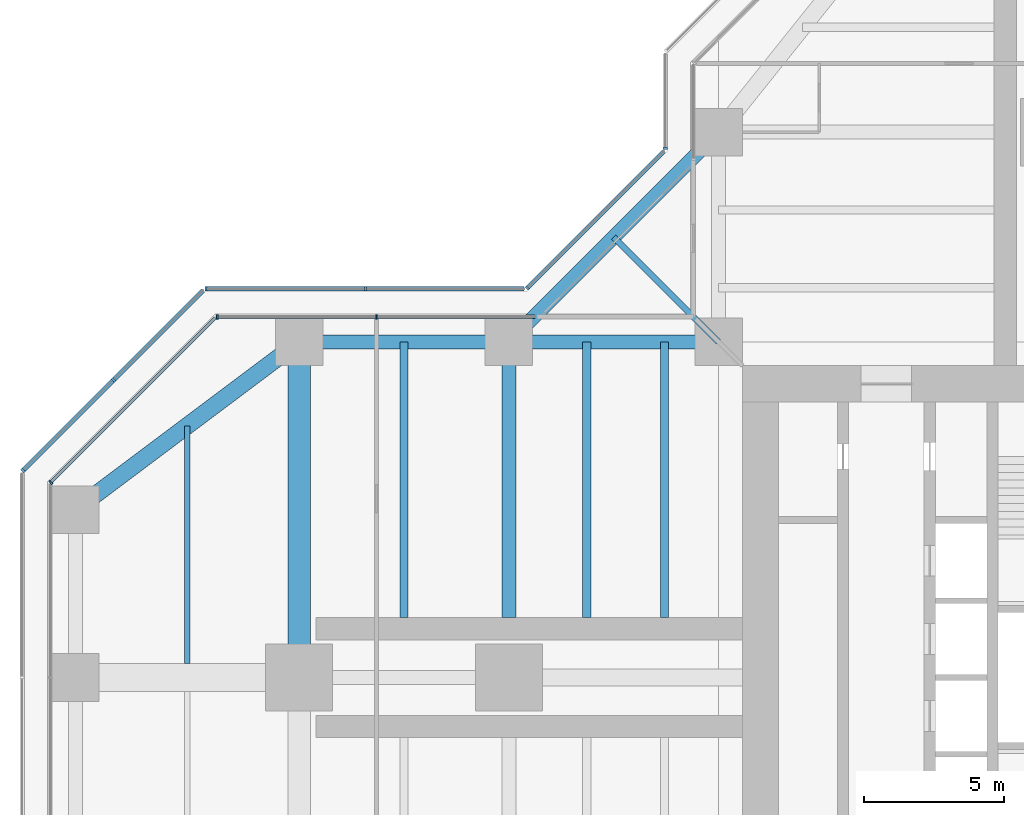
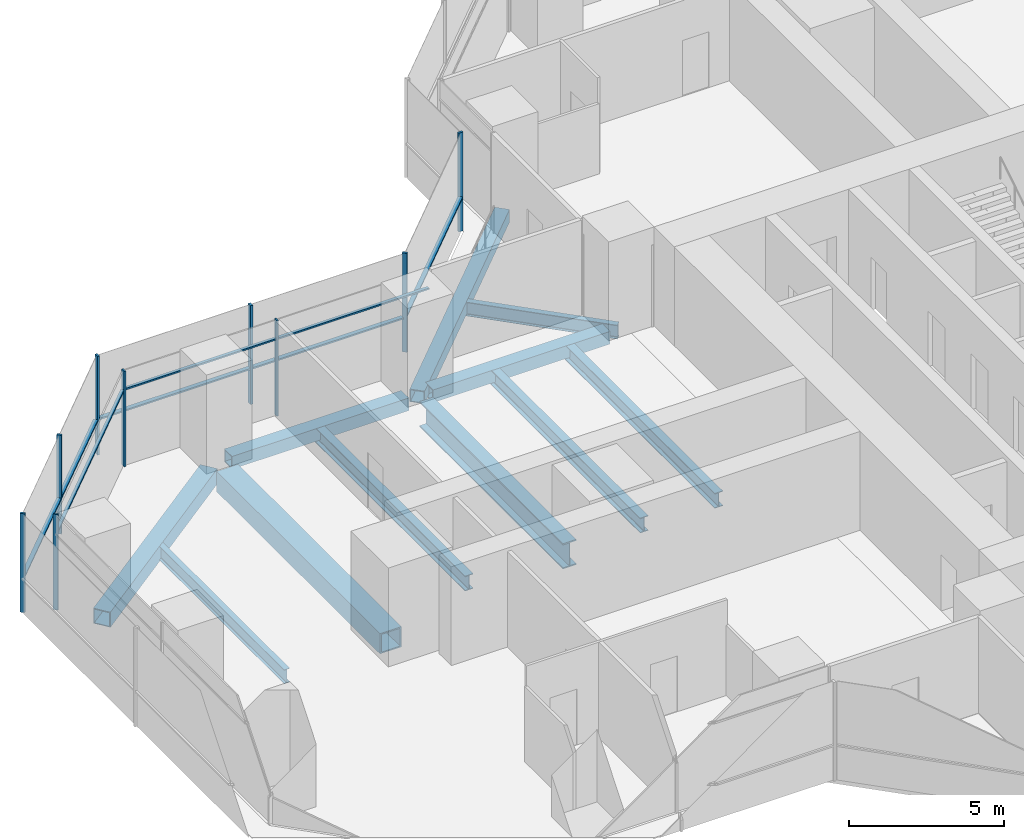
# One storey, part 7 of 19: 17 members, 11 beams, 6 elements without a shape of their own.
"""IFC4 building model written with IfcOpenShell, lengths in metres."""

from ifc_helpers import new_model, si_unit, direction, frame, origin, origin_2d, place, context, subcontext, project, spatial, rectangle, hollow_rectangle, i_section, extrude, material, material_profile, profile_set, type_object, element, aggregate, save


model = new_model("IFC4")

# Units and contexts
model_context = context("Model", 3, precision=1e-05, world=origin(), true_north=direction((0.0, 1.0)))
body_context = subcontext(model_context, "Body", "Model", "MODEL_VIEW")
ifc_project = project(units=[si_unit("LENGTHUNIT", "METRE"), si_unit("AREAUNIT", "SQUARE_METRE"), si_unit("VOLUMEUNIT", "CUBIC_METRE"), si_unit("PLANEANGLEUNIT", "RADIAN"), si_unit("MASSUNIT", "GRAM", prefix="KILO")], contexts=[model_context])

# Site, building, storey
site_placement = place(None, origin())
site = spatial("IfcSite", under=ifc_project, at=site_placement, CompositionType="ELEMENT")
building_placement = place(site_placement, origin())
building = spatial("IfcBuilding", under=site, at=building_placement, Name="Mizan Broadcast Tower", CompositionType="ELEMENT")
storey_placement = place(building_placement, frame((0.0, 0.0, 182.699951171875)))
storey = spatial("IfcBuildingStorey", under=building, at=storey_placement, Name="L42", CompositionType="ELEMENT", Elevation=182.699951171875)

# Beams
ifc_material_1 = material(Name="Steel S355", Category="steel")
ifc_material_profile_1 = material_profile(ifc_material_1, hollow_rectangle(XDim=0.5, YDim=0.5, WallThickness=0.030029296875, at=origin_2d()), Name="BOX 500x500x30")
ifc_profile_set_1 = profile_set([ifc_material_profile_1], Name="Steel S355")
beam_type_1 = type_object("IfcBeamType", Name="EDGE BEAM BOX 500x500x30", PredefinedType="SPANDREL", material=ifc_profile_set_1)
for number, where, z_axis, x_axis, name in (
    (1, (-12.449951171875, 12.0, -0.3798828125), (-1.0, 0.0, 0.0), (0.0, -1.0, 0.0), "Edge beam BOX 500x500x30 L42 west arm"),
    (2, (-19.949951171875, 12.0, -0.3798828125), (-1.0, 0.0, 0.0), (0.0, -1.0, 0.0), "Edge beam BOX 500x500x30 L42 west arm"),
):
    element("IfcBeam", number, at=place(storey_placement, frame(where, z_axis=z_axis, x_axis=x_axis)), inside=storey, type_object=beam_type_1, Name=name, PredefinedType="SPANDREL", context=body_context, shape_type="SweptSolid", body=[
        extrude(hollow_rectangle(XDim=0.5, YDim=0.5, WallThickness=0.030029296875, at=origin_2d()), origin(), (0.0, 0.0, 1.0), 6.60009765625),
    ])
beam_1_placement = place(storey_placement, frame((-12.0, 19.5, -0.3798828125), z_axis=(-0.707106781187, -0.707106781187, 0.0), x_axis=(0.707106781187, -0.707106781187, 0.0)))
element("IfcBeam", 3, at=beam_1_placement, inside=storey, type_object=beam_type_1, Name="Winter garden edge beam L42 N", PredefinedType="SPANDREL", context=body_context, shape_type="SweptSolid", body=[
    extrude(hollow_rectangle(XDim=0.5, YDim=0.5, WallThickness=0.030029296875, at=origin_2d()), origin(), (0.0, 0.0, 1.0), 10.606689453125),
])
ifc_material_2 = material(Name="Steel S355", Category="steel")
ifc_material_profile_2 = material_profile(ifc_material_2, hollow_rectangle(XDim=0.60009765625, YDim=0.60009765625, WallThickness=0.030029296875, at=origin_2d()), Name="BOX 600x600x30")
ifc_profile_set_2 = profile_set([ifc_material_profile_2], Name="Steel S355")
beam_type_2 = type_object("IfcBeamType", Name="EDGE BEAM BOX 600x600x30", PredefinedType="SPANDREL", material=ifc_profile_set_2)
beam_2_placement = place(storey_placement, frame((-27.47998046875, 11.639892578125, -0.429931640625), z_axis=(-0.800013316712, -0.599982243973, 0.0), x_axis=(0.599982243973, -0.800013316712, 0.0)))
element("IfcBeam", 4, at=beam_2_placement, inside=storey, type_object=beam_type_2, Name="Edge beam BOX 600x600x30 L42 west arm", PredefinedType="SPANDREL", context=body_context, shape_type="SweptSolid", body=[
    extrude(hollow_rectangle(XDim=0.60009765625, YDim=0.60009765625, WallThickness=0.030029296875, at=origin_2d()), origin(), (0.0, 0.0, 1.0), 8.7998046875),
])
ifc_material_3 = material(Name="Steel S460", Category="steel")
ifc_material_profile_3 = material_profile(ifc_material_3, hollow_rectangle(XDim=0.800048828125, YDim=0.800048828125, WallThickness=0.050048828125, at=origin_2d()), Name="BOX 800x800x50")
ifc_profile_set_3 = profile_set([ifc_material_profile_3], Name="Steel S460")
beam_type_3 = type_object("IfcBeamType", Name="GIRDER BOX 800x800x50", PredefinedType="BEAM", material=ifc_profile_set_3)
beam_3_placement = place(storey_placement, frame((-27.0, 11.280029296875, -0.530029296875), z_axis=(0.0, -1.0, 0.0), x_axis=(1.0, 0.0, 0.0)))
element("IfcBeam", 5, at=beam_3_placement, inside=storey, type_object=beam_type_3, Name="Girder BOX 800x800x50 L42 west arm", PredefinedType="BEAM", context=body_context, shape_type="SweptSolid", body=[
    extrude(hollow_rectangle(XDim=0.800048828125, YDim=0.800048828125, WallThickness=0.050048828125, at=origin_2d()), origin(), (0.0, 0.0, 1.0), 10.56005859375),
])
ifc_material_4 = material(Name="Steel S460", Category="steel")
ifc_material_profile_4 = material_profile(ifc_material_4, i_section(OverallWidth=0.5, OverallDepth=1.0, WebThickness=0.02490234375, FlangeThickness=0.050048828125, at=origin_2d()), Name="WPG 1000x500")
ifc_profile_set_4 = profile_set([ifc_material_profile_4], Name="Steel S460")
beam_type_4 = type_object("IfcBeamType", Name="GIRDER WPG 1000x500", PredefinedType="BEAM", material=ifc_profile_set_4)
beam_4_placement = place(storey_placement, frame((-19.5, 11.408935546875, -0.6298828125), z_axis=(0.0, -1.0, 0.0), x_axis=(1.0, 0.0, 0.0)))
element("IfcBeam", 6, at=beam_4_placement, inside=storey, type_object=beam_type_4, Name="Girder WPG 1000x500 L42 west arm", PredefinedType="BEAM", context=body_context, shape_type="SweptSolid", body=[
    extrude(i_section(OverallWidth=0.5, OverallDepth=1.0, WebThickness=0.02490234375, FlangeThickness=0.050048828125, at=origin_2d()), origin(), (0.0, 0.0, 1.0), 9.259033203125),
])

# Curtain wall, members
ifc_material_5 = material(Name="Aluminium framed glazing", Category="aluminium")
curtain_wall_type_1 = type_object("IfcCurtainWallType", Name="INNER SKIN MID ZONE", PredefinedType="USERDEFINED", material=ifc_material_5)
curtain_wall_1_placement = place(storey_placement, origin())
curtain_wall_1 = element("IfcCurtainWall", 7, at=curtain_wall_1_placement, inside=storey, type_object=curtain_wall_type_1, Name="Inner skin mid zone L42 W side", ObjectType="INNER SKIN MID ZONE", PredefinedType="USERDEFINED")
ifc_material_6 = material(Name="Aluminium, pale anodised", Category="aluminium")
ifc_material_profile_5 = material_profile(ifc_material_6, rectangle(XDim=0.159912109375, YDim=0.06005859375, at=origin_2d()), Name="MULLION 160x60")
ifc_profile_set_5 = profile_set([ifc_material_profile_5], Name="Aluminium, pale anodised")
member_type_1 = type_object("IfcMemberType", Name="INNER SKIN MULLION 60x160", PredefinedType="MULLION", material=ifc_profile_set_5)
member_1_placement = place(storey_placement, frame((-24.229248046875, 12.89990234375, 0.0), z_axis=(0.0, 0.0, 1.0), x_axis=(0.0, -1.0, 0.0)))
member_1 = element("IfcMember", 8, at=member_1_placement, type_object=member_type_1, Name="Inner skin mid zone L42 W side mullion 2", PredefinedType="MULLION", context=body_context, shape_type="SweptSolid", body=[
    extrude(rectangle(XDim=0.159912109375, YDim=0.06005859375, at=origin_2d()), origin(), (0.0, 0.0, 1.0), 3.77001953125),
])
member_2_placement = place(storey_placement, frame((-29.928466796875, 12.89990234375, 0.0), z_axis=(0.0, 0.0, 1.0), x_axis=(0.0, -1.0, 0.0)))
member_2 = element("IfcMember", 9, at=member_2_placement, type_object=member_type_1, Name="Inner skin mid zone L42 W side mullion 3", PredefinedType="MULLION", context=body_context, shape_type="SweptSolid", body=[
    extrude(rectangle(XDim=0.159912109375, YDim=0.06005859375, at=origin_2d()), origin(), (0.0, 0.0, 1.0), 3.77001953125),
])

# Curtain wall, member
curtain_wall_2_placement = place(storey_placement, origin())
curtain_wall_2 = element("IfcCurtainWall", 10, at=curtain_wall_2_placement, inside=storey, type_object=curtain_wall_type_1, Name="Inner skin mid zone L42 W chamfer", ObjectType="INNER SKIN MID ZONE", PredefinedType="USERDEFINED")
member_3_placement = place(storey_placement, frame((-35.87890625, 6.979736328125, 0.0), z_axis=(0.0, 0.0, 1.0), x_axis=(0.707106781187, -0.707106781187, 0.0)))
member_3 = element("IfcMember", 11, at=member_3_placement, type_object=member_type_1, Name="Inner skin mid zone L42 W chamfer mullion 2", PredefinedType="MULLION", context=body_context, shape_type="SweptSolid", body=[
    extrude(rectangle(XDim=0.159912109375, YDim=0.06005859375, at=origin_2d()), origin(), (0.0, 0.0, 1.0), 3.77001953125),
])

# Member
ifc_material_7 = material(Name="Aluminium, pale anodised", Category="aluminium")
ifc_material_profile_6 = material_profile(ifc_material_7, rectangle(XDim=0.1201171875, YDim=0.06005859375, at=origin_2d()), Name="TRANSOM 120x60")
ifc_profile_set_6 = profile_set([ifc_material_profile_6], Name="Aluminium, pale anodised")
member_type_2 = type_object("IfcMemberType", Name="INNER SKIN TRANSOM 60x120", PredefinedType="USERDEFINED", material=ifc_profile_set_6)
member_4_placement = place(storey_placement, frame((-18.56005859375, 12.89990234375, 3.030029296875), z_axis=(-1.0, 0.0, 0.0), x_axis=(0.0, -1.0, 0.0)))
member_4 = element("IfcMember", 12, at=member_4_placement, type_object=member_type_2, Name="Inner skin mid zone L42 W side transom 1.1", ObjectType="TRANSOM", PredefinedType="USERDEFINED", context=body_context, shape_type="SweptSolid", body=[
    extrude(rectangle(XDim=0.1201171875, YDim=0.06005859375, at=origin_2d()), origin(), (0.0, 0.0, 1.0), 5.63916015625),
])

member_5_placement = place(storey_placement, frame((-24.25927734375, 12.89990234375, 3.030029296875), z_axis=(-1.0, 0.0, 0.0), x_axis=(0.0, -1.0, 0.0)))
member_5 = element("IfcMember", 13, at=member_5_placement, type_object=member_type_2, Name="Inner skin mid zone L42 W side transom 2.1", ObjectType="TRANSOM", PredefinedType="USERDEFINED", context=body_context, shape_type="SweptSolid", body=[
    extrude(rectangle(XDim=0.1201171875, YDim=0.06005859375, at=origin_2d()), origin(), (0.0, 0.0, 1.0), 5.639404296875),
])

aggregate(curtain_wall_1, [member_1, member_2, member_4, member_5])

member_6_placement = place(storey_placement, frame((-30.0009765625, 12.857666015625, 3.030029296875), z_axis=(-0.707106781187, -0.707106781187, 0.0), x_axis=(0.707106781187, -0.707106781187, 0.0)))
member_6 = element("IfcMember", 14, at=member_6_placement, type_object=member_type_2, Name="Inner skin mid zone L42 W chamfer transom 1.1", ObjectType="TRANSOM", PredefinedType="USERDEFINED", context=body_context, shape_type="SweptSolid", body=[
    extrude(rectangle(XDim=0.1201171875, YDim=0.06005859375, at=origin_2d()), origin(), (0.0, 0.0, 1.0), 8.28271484375),
])

aggregate(curtain_wall_2, [member_3, member_6])

# Curtain wall, member
ifc_material_8 = material(Name="Aluminium framed glazing", Category="aluminium")
curtain_wall_type_2 = type_object("IfcCurtainWallType", Name="OUTER SKIN", PredefinedType="USERDEFINED", material=ifc_material_8)
curtain_wall_3_placement = place(storey_placement, origin())
curtain_wall_3 = element("IfcCurtainWall", 15, at=curtain_wall_3_placement, inside=storey, type_object=curtain_wall_type_2, Name="Outer skin L42 N side", ObjectType="OUTER SKIN", PredefinedType="USERDEFINED")
ifc_material_9 = material(Name="Aluminium, pale anodised", Category="aluminium")
ifc_material_profile_7 = material_profile(ifc_material_9, rectangle(XDim=0.159912109375, YDim=0.080078125, at=origin_2d()), Name="MULLION 160x80")
ifc_profile_set_7 = profile_set([ifc_material_profile_7], Name="Aluminium, pale anodised")
member_type_3 = type_object("IfcMemberType", Name="OUTER SKIN MULLION 80x160", PredefinedType="MULLION", material=ifc_profile_set_7)
member_7_placement = place(storey_placement, frame((-13.89990234375, 18.912841796875, 0.0), z_axis=(0.0, 0.0, 1.0), x_axis=(1.0, 0.0, 0.0)))
member_7 = element("IfcMember", 16, at=member_7_placement, type_object=member_type_3, Name="Outer skin L42 N side mullion 2", PredefinedType="MULLION", context=body_context, shape_type="SweptSolid", body=[
    extrude(rectangle(XDim=0.159912109375, YDim=0.080078125, at=origin_2d()), origin(), (0.0, 0.0, 1.0), 3.900146484375),
])
aggregate(curtain_wall_3, [member_7])

curtain_wall_4_placement = place(storey_placement, origin())
curtain_wall_4 = element("IfcCurtainWall", 17, at=curtain_wall_4_placement, inside=storey, type_object=curtain_wall_type_2, Name="Outer skin L42 W chamfer", ObjectType="OUTER SKIN", PredefinedType="USERDEFINED")
member_8_placement = place(storey_placement, frame((-18.844482421875, 13.92822265625, 0.0), z_axis=(0.0, 0.0, 1.0), x_axis=(0.707106781187, -0.707106781187, 0.0)))
member_8 = element("IfcMember", 18, at=member_8_placement, type_object=member_type_3, Name="Outer skin L42 W chamfer mullion 2", PredefinedType="MULLION", context=body_context, shape_type="SweptSolid", body=[
    extrude(rectangle(XDim=0.159912109375, YDim=0.080078125, at=origin_2d()), origin(), (0.0, 0.0, 1.0), 3.900146484375),
])

# Curtain wall, members
curtain_wall_5_placement = place(storey_placement, origin())
curtain_wall_5 = element("IfcCurtainWall", 19, at=curtain_wall_5_placement, inside=storey, type_object=curtain_wall_type_2, Name="Outer skin L42 W side", ObjectType="OUTER SKIN", PredefinedType="USERDEFINED")
member_9_placement = place(storey_placement, frame((-24.622802734375, 13.89990234375, 0.0), z_axis=(0.0, 0.0, 1.0), x_axis=(0.0, -1.0, 0.0)))
member_9 = element("IfcMember", 20, at=member_9_placement, type_object=member_type_3, Name="Outer skin L42 W side mullion 2", PredefinedType="MULLION", context=body_context, shape_type="SweptSolid", body=[
    extrude(rectangle(XDim=0.159912109375, YDim=0.080078125, at=origin_2d()), origin(), (0.0, 0.0, 1.0), 3.900146484375),
])
member_10_placement = place(storey_placement, frame((-30.332763671875, 13.89990234375, 0.0), z_axis=(0.0, 0.0, 1.0), x_axis=(0.0, -1.0, 0.0)))
member_10 = element("IfcMember", 21, at=member_10_placement, type_object=member_type_3, Name="Outer skin L42 W side mullion 3", PredefinedType="MULLION", context=body_context, shape_type="SweptSolid", body=[
    extrude(rectangle(XDim=0.159912109375, YDim=0.080078125, at=origin_2d()), origin(), (0.0, 0.0, 1.0), 3.900146484375),
])

curtain_wall_6_placement = place(storey_placement, origin())
curtain_wall_6 = element("IfcCurtainWall", 22, at=curtain_wall_6_placement, inside=storey, type_object=curtain_wall_type_2, Name="Outer skin L42 W chamfer", ObjectType="OUTER SKIN", PredefinedType="USERDEFINED")
member_11_placement = place(storey_placement, frame((-33.636474609375, 10.636474609375, 0.0), z_axis=(0.0, 0.0, 1.0), x_axis=(0.707106781187, -0.707106781187, 0.0)))
member_11 = element("IfcMember", 23, at=member_11_placement, type_object=member_type_3, Name="Outer skin L42 W chamfer mullion 2", PredefinedType="MULLION", context=body_context, shape_type="SweptSolid", body=[
    extrude(rectangle(XDim=0.159912109375, YDim=0.080078125, at=origin_2d()), origin(), (0.0, 0.0, 1.0), 3.900146484375),
])
member_12_placement = place(storey_placement, frame((-36.871826171875, 7.401123046875, 0.0), z_axis=(0.0, 0.0, 1.0), x_axis=(0.707106781187, -0.707106781187, 0.0)))
member_12 = element("IfcMember", 24, at=member_12_placement, type_object=member_type_3, Name="Outer skin L42 W chamfer mullion 3", PredefinedType="MULLION", context=body_context, shape_type="SweptSolid", body=[
    extrude(rectangle(XDim=0.159912109375, YDim=0.080078125, at=origin_2d()), origin(), (0.0, 0.0, 1.0), 3.900146484375),
])

# Member
ifc_material_10 = material(Name="Aluminium, pale anodised", Category="aluminium")
ifc_material_profile_8 = material_profile(ifc_material_10, rectangle(XDim=0.159912109375, YDim=0.06005859375, at=origin_2d()), Name="TRANSOM 160x60")
ifc_profile_set_8 = profile_set([ifc_material_profile_8], Name="Aluminium, pale anodised")
member_type_4 = type_object("IfcMemberType", Name="OUTER SKIN TRANSOM 60x160", PredefinedType="USERDEFINED", material=ifc_profile_set_8)
member_13_placement = place(storey_placement, frame((-13.95654296875, 18.816162109375, 1.400146484375), z_axis=(-0.707106781187, -0.707106781187, 0.0), x_axis=(0.707106781187, -0.707106781187, 0.0)))
member_13 = element("IfcMember", 25, at=member_13_placement, type_object=member_type_4, Name="Outer skin L42 W chamfer transom 1.1", ObjectType="TRANSOM", PredefinedType="USERDEFINED", context=body_context, shape_type="SweptSolid", body=[
    extrude(rectangle(XDim=0.159912109375, YDim=0.06005859375, at=origin_2d()), origin(), (0.0, 0.0, 1.0), 6.87255859375),
])

aggregate(curtain_wall_4, [member_8, member_13])

member_14_placement = place(storey_placement, frame((-18.952880859375, 13.89990234375, 1.400146484375), z_axis=(-1.0, 0.0, 0.0), x_axis=(0.0, -1.0, 0.0)))
member_14 = element("IfcMember", 26, at=member_14_placement, type_object=member_type_4, Name="Outer skin L42 W side transom 1.1", ObjectType="TRANSOM", PredefinedType="USERDEFINED", context=body_context, shape_type="SweptSolid", body=[
    extrude(rectangle(XDim=0.159912109375, YDim=0.06005859375, at=origin_2d()), origin(), (0.0, 0.0, 1.0), 5.6298828125),
])

member_15_placement = place(storey_placement, frame((-24.662841796875, 13.89990234375, 1.400146484375), z_axis=(-1.0, 0.0, 0.0), x_axis=(0.0, -1.0, 0.0)))
member_15 = element("IfcMember", 27, at=member_15_placement, type_object=member_type_4, Name="Outer skin L42 W side transom 2.1", ObjectType="TRANSOM", PredefinedType="USERDEFINED", context=body_context, shape_type="SweptSolid", body=[
    extrude(rectangle(XDim=0.159912109375, YDim=0.06005859375, at=origin_2d()), origin(), (0.0, 0.0, 1.0), 5.6298828125),
])

aggregate(curtain_wall_5, [member_9, member_10, member_14, member_15])

member_16_placement = place(storey_placement, frame((-30.429443359375, 13.843505859375, 1.400146484375), z_axis=(-0.707106781187, -0.707106781187, 0.0), x_axis=(0.707106781187, -0.707106781187, 0.0)))
member_16 = element("IfcMember", 28, at=member_16_placement, type_object=member_type_4, Name="Outer skin L42 W chamfer transom 1.1", ObjectType="TRANSOM", PredefinedType="USERDEFINED", context=body_context, shape_type="SweptSolid", body=[
    extrude(rectangle(XDim=0.159912109375, YDim=0.06005859375, at=origin_2d()), origin(), (0.0, 0.0, 1.0), 4.495361328125),
])

member_17_placement = place(storey_placement, frame((-33.664794921875, 10.608154296875, 1.400146484375), z_axis=(-0.707106781187, -0.707106781187, 0.0), x_axis=(0.707106781187, -0.707106781187, 0.0)))
member_17 = element("IfcMember", 29, at=member_17_placement, type_object=member_type_4, Name="Outer skin L42 W chamfer transom 2.1", ObjectType="TRANSOM", PredefinedType="USERDEFINED", context=body_context, shape_type="SweptSolid", body=[
    extrude(rectangle(XDim=0.159912109375, YDim=0.06005859375, at=origin_2d()), origin(), (0.0, 0.0, 1.0), 4.495361328125),
])

aggregate(curtain_wall_6, [member_11, member_12, member_16, member_17])

# Beams
ifc_material_11 = material(Name="Steel S355", Category="steel")
ifc_material_profile_9 = material_profile(ifc_material_11, i_section(OverallWidth=0.300048828125, OverallDepth=0.590087890625, WebThickness=0.012939453125, FlangeThickness=0.02490234375, FilletRadius=0.027099609375, at=origin_2d()), Name="HEA 600")
ifc_profile_set_9 = profile_set([ifc_material_profile_9], Name="Steel S355")
beam_type_5 = type_object("IfcBeamType", Name="SECONDARY BEAM HEA 600", PredefinedType="JOIST", material=ifc_profile_set_9)
for number, where, z_axis, x_axis, name in (
    (30, (-13.933349609375, 12.0, -0.425048828125), (0.0, -1.0, 0.0), (1.0, 0.0, 0.0), "Secondary beam HEA 600 L42 west arm"),
    (31, (-16.716552734375, 12.0, -0.425048828125), (0.0, -1.0, 0.0), (1.0, 0.0, 0.0), "Secondary beam HEA 600 L42 west arm"),
    (32, (-23.25, 12.0, -0.425048828125), (0.0, -1.0, 0.0), (1.0, 0.0, 0.0), "Secondary beam HEA 600 L42 west arm"),
):
    element("IfcBeam", number, at=place(storey_placement, frame(where, z_axis=z_axis, x_axis=x_axis)), inside=storey, type_object=beam_type_5, Name=name, PredefinedType="JOIST", context=body_context, shape_type="SweptSolid", body=[
        extrude(i_section(OverallWidth=0.300048828125, OverallDepth=0.590087890625, WebThickness=0.012939453125, FlangeThickness=0.02490234375, FilletRadius=0.027099609375, at=origin_2d()), origin(), (0.0, 0.0, 1.0), 9.85009765625),
    ])
ifc_material_12 = material(Name="Steel S355", Category="steel")
ifc_material_profile_10 = material_profile(ifc_material_12, i_section(OverallWidth=0.2099609375, OverallDepth=0.550048828125, WebThickness=0.010986328125, FlangeThickness=0.01708984375, FilletRadius=0.02392578125, at=origin_2d()), Name="IPE 550")
ifc_profile_set_10 = profile_set([ifc_material_profile_10], Name="Steel S355")
beam_type_6 = type_object("IfcBeamType", Name="SECONDARY BEAM IPE 550", PredefinedType="JOIST", material=ifc_profile_set_10)
beam_5_placement = place(storey_placement, frame((-31.0, 9.0, -0.405029296875), z_axis=(0.0, -1.0, 0.0), x_axis=(1.0, 0.0, 0.0)))
element("IfcBeam", 33, at=beam_5_placement, inside=storey, type_object=beam_type_6, Name="Secondary beam IPE 550 L42 west arm", PredefinedType="JOIST", context=body_context, shape_type="SweptSolid", body=[
    extrude(i_section(OverallWidth=0.2099609375, OverallDepth=0.550048828125, WebThickness=0.010986328125, FlangeThickness=0.01708984375, FilletRadius=0.02392578125, at=origin_2d()), origin(), (0.0, 0.0, 1.0), 8.5),
])
beam_6_placement = place(storey_placement, frame((-12.0, 12.0, -0.405029296875), z_axis=(-0.707106781187, 0.707106781187, 0.0), x_axis=(-0.707106781187, -0.707106781187, 0.0)))
element("IfcBeam", 34, at=beam_6_placement, inside=storey, type_object=beam_type_6, Name="Winter garden beam L42 N", PredefinedType="JOIST", context=body_context, shape_type="SweptSolid", body=[
    extrude(i_section(OverallWidth=0.2099609375, OverallDepth=0.550048828125, WebThickness=0.010986328125, FlangeThickness=0.01708984375, FilletRadius=0.02392578125, at=origin_2d()), origin(), (0.0, 0.0, 1.0), 5.30322265625),
])

save(model, "model.ifc")
